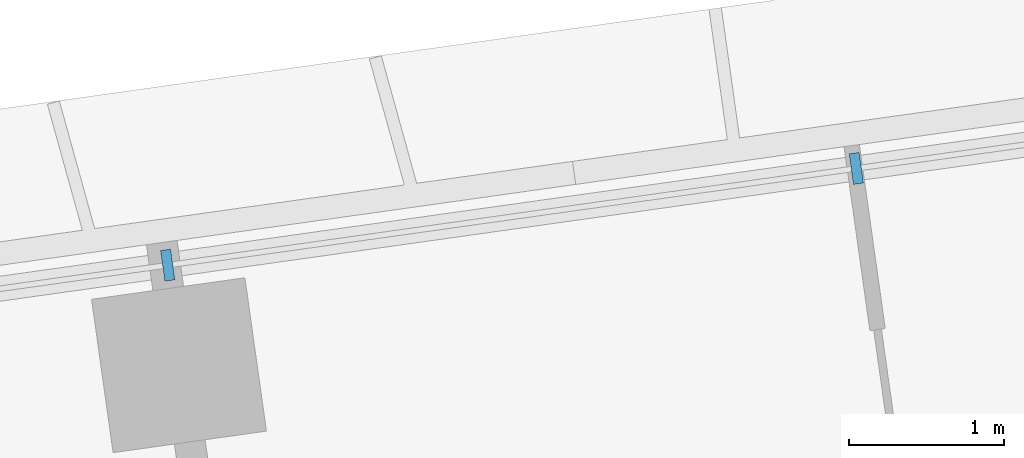
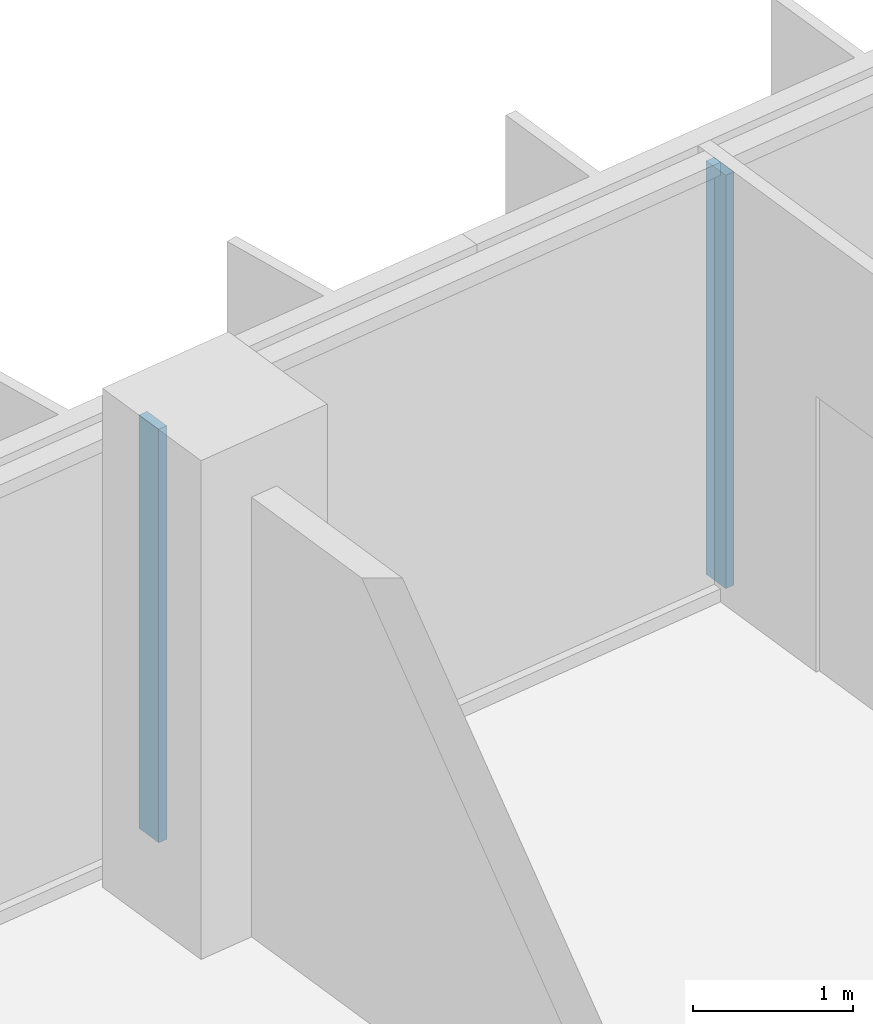
# One storey, part 8 of 25: 2 members, 1 element without a shape of its own.
"""IFC4 building model written with IfcOpenShell, lengths in metres."""

from ifc_helpers import new_model, si_unit, direction, frame, origin, origin_2d, place, context, subcontext, project, spatial, rectangle, extrude, material, material_profile, profile_set, type_object, element, aggregate, save


model = new_model("IFC4")

# Units and contexts
model_context = context("Model", 3, precision=1e-05, world=origin(), true_north=direction((0.0, 1.0)))
body_context = subcontext(model_context, "Body", "Model", "MODEL_VIEW")
ifc_project = project(units=[si_unit("LENGTHUNIT", "METRE"), si_unit("AREAUNIT", "SQUARE_METRE"), si_unit("VOLUMEUNIT", "CUBIC_METRE"), si_unit("PLANEANGLEUNIT", "RADIAN"), si_unit("MASSUNIT", "GRAM", prefix="KILO")], contexts=[model_context])

# Site, building, storey
site_placement = place(None, origin())
site = spatial("IfcSite", under=ifc_project, at=site_placement, CompositionType="ELEMENT")
building_placement = place(site_placement, origin())
building = spatial("IfcBuilding", under=site, at=building_placement, Name="Mirante Cascada Hotel Towers", CompositionType="ELEMENT")
storey_placement = place(building_placement, frame((0.0, 0.0, 54.7)))
storey = spatial("IfcBuildingStorey", under=building, at=storey_placement, Name="L10", CompositionType="ELEMENT", Elevation=54.7)

# Curtain wall, members
ifc_material_1 = material(Name="Aluminium mullion and transom frame with clear laminated glass", Category="aluminium")
curtain_wall_type = type_object("IfcCurtainWallType", Name="Ribbon curtain wall ECW1", PredefinedType="NOTDEFINED", material=ifc_material_1)
curtain_wall_placement = place(storey_placement, origin())
curtain_wall = element("IfcCurtainWall", 1, at=curtain_wall_placement, inside=storey, type_object=curtain_wall_type, Name="Front ribbon wall T2 L10", PredefinedType="NOTDEFINED")
ifc_material_2 = material(Name="Anodised aluminium extrusion", Category="aluminium")
ifc_material_profile = material_profile(ifc_material_2, rectangle(XDim=0.2, YDim=0.065, at=origin_2d()), Name="ECW1 MULLION 65x200")
ifc_profile_set = profile_set([ifc_material_profile], Name="Anodised aluminium extrusion")
member_type = type_object("IfcMemberType", Name="ECW1 mullion 65x200", PredefinedType="MULLION", material=ifc_profile_set)
member_1_placement = place(storey_placement, frame((58.5788, 21.0517, 0.1), z_axis=(0.0, 0.0, 1.0), x_axis=(0.1391731, -0.9902681, 0.0)))
member_1 = element("IfcMember", 2, at=member_1_placement, type_object=member_type, Name="ECW1 mullion 9", PredefinedType="MULLION", context=body_context, shape_type="SweptSolid", body=[
    extrude(rectangle(XDim=0.2, YDim=0.065, at=origin_2d()), origin(), (0.0, 0.0, 1.0), 3.15),
])
member_2_placement = place(storey_placement, frame((54.1314, 20.4267, 0.1), z_axis=(0.0, 0.0, 1.0), x_axis=(0.1391731, -0.9902681, 0.0)))
member_2 = element("IfcMember", 3, at=member_2_placement, type_object=member_type, Name="ECW1 mullion 10", PredefinedType="MULLION", context=body_context, shape_type="SweptSolid", body=[
    extrude(rectangle(XDim=0.2, YDim=0.065, at=origin_2d()), origin(), (0.0, 0.0, 1.0), 3.15),
])
aggregate(curtain_wall, [member_1, member_2])

save(model, "model.ifc")
